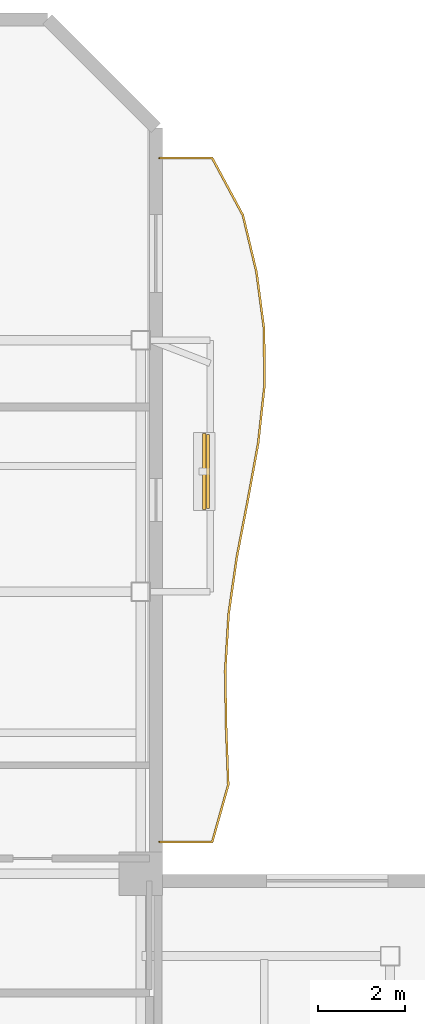
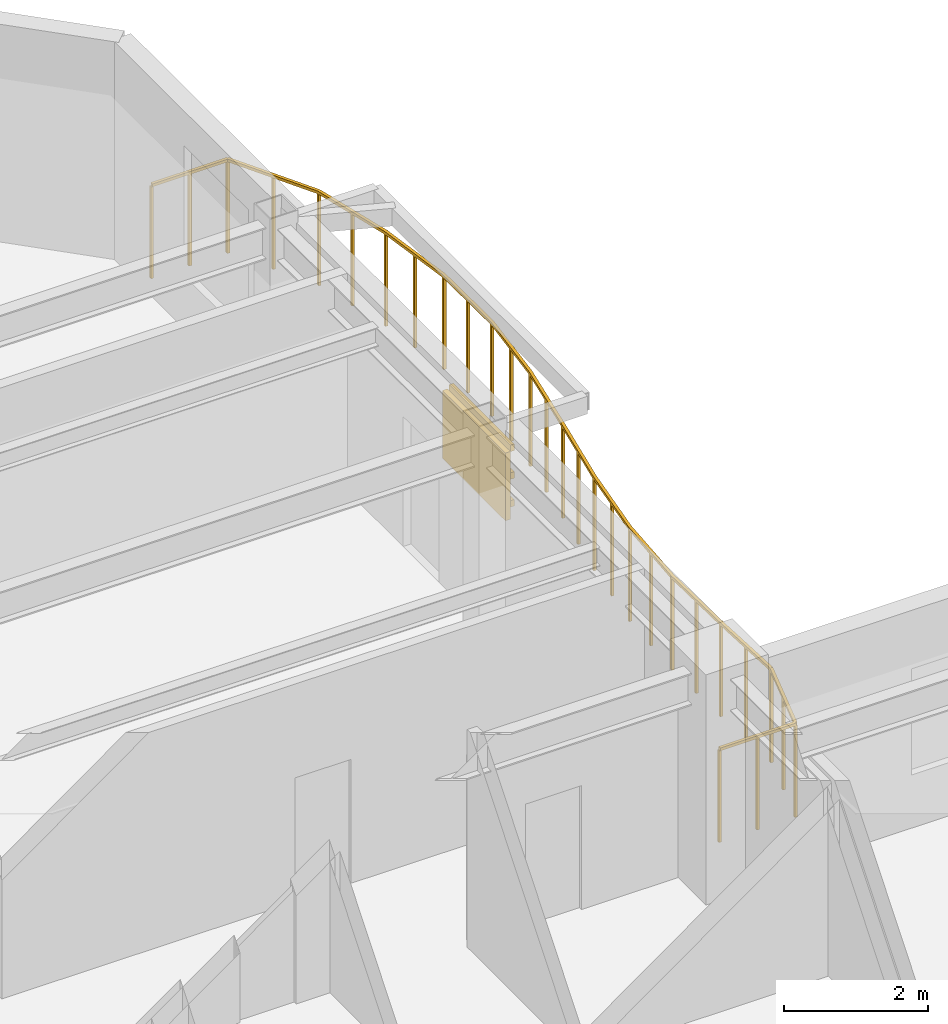
# One storey, part 9 of 9: 4 shading devices, 1 railing.
"""IFC4 building model written with IfcOpenShell, lengths in metres."""

import ifcopenshell
import ifcopenshell.guid

model = None  # the IFC model being written
_history = None  # IfcOwnerHistory: only IFC2X3 demands one
_inside = {}  # id of a spatial element -> (the spatial element, [elements in it])
_under = {}  # id of a project, library or spatial element -> (it, [spatial elements below it])
_declared = {}  # id of a project -> (the project, [libraries it declares])
_typed = {}  # id of a type object -> (the type object, [elements of that type])
_made_of = {}  # id of a material, layer set ... -> (it, [elements and type objects made of it])


def new_model(schema):
    """Start an empty IFC model of exactly this schema.

    Asked for "IFC4X3", IfcOpenShell would pick the latest addendum, in which some entities
    have other attributes; the version numbers below select the first issue.
    IFC2X3 requires an IfcOwnerHistory on every rooted entity: one is made here for all.
    """
    global model, _history
    if schema == "IFC4X3":
        model = ifcopenshell.file(schema_version=(4, 3, 0, 0))
    else:
        model = ifcopenshell.file(schema=schema)
    _inside.clear()
    _under.clear()
    _declared.clear()
    _typed.clear()
    _made_of.clear()
    _history = None
    if model.schema == "IFC2X3":
        org = make("IfcOrganization", Name="unknown")
        user = make(
            "IfcPersonAndOrganization",
            ThePerson=make("IfcPerson", FamilyName="unknown"),
            TheOrganization=org,
        )
        app = make(
            "IfcApplication",
            ApplicationDeveloper=org,
            Version="unknown",
            ApplicationFullName="unknown",
            ApplicationIdentifier="unknown",
        )
        _history = make(
            "IfcOwnerHistory",
            OwningUser=user,
            OwningApplication=app,
            ChangeAction="ADDED",
            CreationDate=0,
        )
    return model


def make(cls, **values):
    """One entity of the class cls with the attributes given. An attribute that is None is left unset."""
    return model.create_entity(
        cls, **{name: value for name, value in values.items() if value is not None}
    )


def rooted(cls, **values):
    """An entity with a GlobalId (a new one), such as an element, a storey or a relation."""
    return make(cls, GlobalId=ifcopenshell.guid.new(), OwnerHistory=_history, **values)


def si_unit(unit_type, name, prefix=None):
    """IfcSIUnit, for example si_unit("LENGTHUNIT", "METRE", prefix="MILLI")."""
    return make("IfcSIUnit", UnitType=unit_type, Prefix=prefix, Name=name)


def assignment(units):
    """IfcUnitAssignment: the units of a project."""
    return None if units is None else make("IfcUnitAssignment", Units=units)


def point(xyz):
    """IfcCartesianPoint."""
    return None if xyz is None else make("IfcCartesianPoint", Coordinates=xyz)


def direction(xyz):
    """IfcDirection."""
    return None if xyz is None else make("IfcDirection", DirectionRatios=xyz)


def frame(location, z_axis=None, x_axis=None):
    """IfcAxis2Placement3D, a coordinate frame: its origin and axes. An axis left out is left unset."""
    return make(
        "IfcAxis2Placement3D",
        Location=point(location),
        Axis=direction(z_axis),
        RefDirection=direction(x_axis),
    )


def frame_2d(location, x_axis=None):
    """IfcAxis2Placement2D, a coordinate frame in the plane: its origin and x axis."""
    return make(
        "IfcAxis2Placement2D", Location=point(location), RefDirection=direction(x_axis)
    )


def origin():
    """The frame at (0, 0, 0) with its axes left unset."""
    return frame((0.0, 0.0, 0.0))


def origin_2d():
    """The frame at (0, 0) in the plane with its x axis left unset."""
    return frame_2d((0.0, 0.0))


def place(relative_to, where):
    """IfcLocalPlacement: puts the frame where relative to a parent placement (None: the world)."""
    return make(
        "IfcLocalPlacement", PlacementRelTo=relative_to, RelativePlacement=where
    )


def context(
    kind, dimensions, precision=None, world=None, true_north=None, identifier=None
):
    """IfcGeometricRepresentationContext, for example the 3D "Model" context."""
    return make(
        "IfcGeometricRepresentationContext",
        ContextIdentifier=identifier,
        ContextType=kind,
        CoordinateSpaceDimension=dimensions,
        Precision=precision,
        WorldCoordinateSystem=world,
        TrueNorth=true_north,
    )


def subcontext(parent, identifier, kind, view, scale=None):
    """IfcGeometricRepresentationSubContext, for example "Body" below "Model"."""
    return make(
        "IfcGeometricRepresentationSubContext",
        ContextIdentifier=identifier,
        ContextType=kind,
        ParentContext=parent,
        TargetScale=scale,
        TargetView=view,
    )


def project(units=None, contexts=None):
    """IfcProject with its units and contexts."""
    return rooted(
        "IfcProject",
        Name="project",
        RepresentationContexts=contexts,
        UnitsInContext=assignment(units),
    )


def spatial(cls, under=None, at=None, **own):
    """A site, building, storey or space (cls), placed at a placement, below another one or the project."""
    s = rooted(cls, ObjectPlacement=at, **own)
    if under is not None:
        _under.setdefault(under.id(), (under, []))[1].append(s)
    return s


def profile(cls, at=None, kind="AREA", **sizes):
    """A parametric profile (cls). Its sizes go by their IFC names, for example OverallWidth=200.0."""
    return make(cls, ProfileType=kind, Position=at, **sizes)


def rectangle(**sizes):
    """IfcRectangleProfileDef."""
    return profile("IfcRectangleProfileDef", **sizes)


def extrude(swept, where, along, depth):
    """IfcExtrudedAreaSolid: the profile swept, set in the frame where, extruded along a direction by depth."""
    return make(
        "IfcExtrudedAreaSolid",
        SweptArea=swept,
        Position=where,
        ExtrudedDirection=direction(along),
        Depth=depth,
    )


def shape(context_of_items, identifier, shape_type, items):
    """IfcShapeRepresentation: the items that make up one representation, for example the "Body"."""
    return make(
        "IfcShapeRepresentation",
        ContextOfItems=context_of_items,
        RepresentationIdentifier=identifier,
        RepresentationType=shape_type,
        Items=items,
    )


def material(Name=None, Category=None):
    """IfcMaterial."""
    return make("IfcMaterial", Name=Name, Category=Category)


def layer(
    of_material, thickness, ventilated=None, Name=None, Category=None, Priority=None
):
    """IfcMaterialLayer: one layer of a wall or slab, of a material (None: an air gap)."""
    return make(
        "IfcMaterialLayer",
        Material=of_material,
        LayerThickness=thickness,
        IsVentilated=ventilated,
        Name=Name,
        Category=Category,
        Priority=Priority,
    )


def layer_set(layers, Name=None):
    """IfcMaterialLayerSet."""
    return make("IfcMaterialLayerSet", MaterialLayers=layers, LayerSetName=Name)


def material_profile(
    of_material, cross_section, Name=None, Category=None, Priority=None
):
    """IfcMaterialProfile: a cross section and its material."""
    return make(
        "IfcMaterialProfile",
        Name=Name,
        Material=of_material,
        Profile=cross_section,
        Priority=Priority,
        Category=Category,
    )


def profile_set(profiles, Name=None, composite=None):
    """IfcMaterialProfileSet."""
    return make(
        "IfcMaterialProfileSet",
        Name=Name,
        MaterialProfiles=profiles,
        CompositeProfile=composite,
    )


def made_of(thing, what):
    """Note that an element or type object is made of a material, layer set ...; save() writes the relation."""
    if what is not None:
        _made_of.setdefault(what.id(), (what, []))[1].append(thing)
    return thing


def type_object(cls, material=None, **own):
    """A type object (cls), such as IfcWallType, which elements share."""
    return made_of(rooted(cls, **own), material)


def element(
    cls,
    number,
    at=None,
    inside=None,
    cuts=None,
    type_object=None,
    material=None,
    context=None,
    identifier="Body",
    shape_type=None,
    held_by="IfcProductDefinitionShape",
    body=None,
    shapes=None,
    **own,
):
    """One element of the class cls, such as IfcWall. Its Tag is "e" and its number.

    at: its placement. inside: the storey or other place that contains it. cuts: it is an
    opening in that element (IfcRelVoidsElement). A single representation is given by context,
    identifier, shape_type and body (its items); several are given by shapes. held_by: the class
    of the entity that holds the representations. save() writes the other relations.
    """
    e = rooted(cls, Tag="e%d" % number, ObjectPlacement=at, **own)
    if body is not None:
        shapes = [shape(context, identifier, shape_type, body)]
    if shapes is not None:
        e.Representation = make(held_by, Representations=shapes)
    if inside is not None:
        _inside.setdefault(inside.id(), (inside, []))[1].append(e)
    if cuts is not None:
        rooted(
            "IfcRelVoidsElement", RelatingBuildingElement=cuts, RelatedOpeningElement=e
        )
    if type_object is not None:
        _typed.setdefault(type_object.id(), (type_object, []))[1].append(e)
    return made_of(e, material)


def aggregate(whole, parts):
    """IfcRelAggregates: a whole, such as a stair, and the parts it consists of."""
    return rooted("IfcRelAggregates", RelatingObject=whole, RelatedObjects=parts)


def save(model, path):
    """Write the relations noted so far, then the file.

    IfcRelAggregates (storeys below a building ...), IfcRelContainedInSpatialStructure (elements
    in a storey), IfcRelDefinesByType, IfcRelAssociatesMaterial and IfcRelDeclares: one each for
    every whole, place, type object, material and project.
    """
    for whole, parts in _under.values():
        aggregate(whole, parts)
    for where, things in _inside.values():
        rooted(
            "IfcRelContainedInSpatialStructure",
            RelatedElements=things,
            RelatingStructure=where,
        )
    for kind, things in _typed.values():
        rooted("IfcRelDefinesByType", RelatedObjects=things, RelatingType=kind)
    for what, things in _made_of.values():
        rooted("IfcRelAssociatesMaterial", RelatedObjects=things, RelatingMaterial=what)
    for by, libraries in _declared.values():
        rooted("IfcRelDeclares", RelatingContext=by, RelatedDefinitions=libraries)
    model.write(path)


model = new_model("IFC4")

# Units and contexts
model_context = context("Model", 3, precision=1e-05, world=origin(), true_north=direction((0.0, 1.0)))
body_context = subcontext(model_context, "Body", "Model", "MODEL_VIEW")
ifc_project = project(units=[si_unit("LENGTHUNIT", "METRE"), si_unit("AREAUNIT", "SQUARE_METRE"), si_unit("VOLUMEUNIT", "CUBIC_METRE"), si_unit("PLANEANGLEUNIT", "RADIAN"), si_unit("MASSUNIT", "GRAM", prefix="KILO")], contexts=[model_context])

# Site, building, storey
site_placement = place(None, origin())
site = spatial("IfcSite", under=ifc_project, at=site_placement, CompositionType="ELEMENT")
building_placement = place(site_placement, origin())
building = spatial("IfcBuilding", under=site, at=building_placement, Name="Mawjaban Terraces University", CompositionType="ELEMENT")
storey_placement = place(building_placement, frame((0.0, 0.0, 203.10009765625)))
storey = spatial("IfcBuildingStorey", under=building, at=storey_placement, Name="L49", CompositionType="ELEMENT", Elevation=203.10009765625)

# Railing
ifc_material_1 = material(Name="Galvanised powder-coated steel S355", Category="steel")
railing_type = type_object("IfcRailingType", Name="BalconyBalustrade_1600", PredefinedType="BALUSTRADE", material=ifc_material_1)
railing_placement = place(storey_placement, frame((38.080078125, 24.235107421875, 0.0)))
element("IfcRailing", 1, at=railing_placement, inside=storey, type_object=railing_type, Name="L49 Balcony Guardrail inner_east", PredefinedType="BALUSTRADE", context=body_context, shape_type="SweptSolid", body=[
    extrude(rectangle(XDim=0.048095703125, YDim=0.048095703125, at=origin_2d()), frame((0.0, 0.0, 1.576171875), z_axis=(1.0, 0.0, 0.0), x_axis=(0.0, 1.0, 0.0)), (0.0, 0.0, 1.0), 1.219970703125),
    extrude(rectangle(XDim=0.048095703125, YDim=0.048095703125, at=origin_2d()), frame((1.219970703125, 0.0, 1.576171875), z_axis=(0.2709631077, 0.962589733098, 0.0), x_axis=(-0.962589733098, 0.2709631077, 0.0)), (0.0, 0.0, 1.0), 1.364990234375),
    extrude(rectangle(XDim=0.048095703125, YDim=0.048095703125, at=origin_2d()), frame((1.58984375, 1.31396484375, 1.576171875), z_axis=(-0.037135274909, 0.9993102478, 0.0), x_axis=(-0.9993102478, -0.037135274909, 0.0)), (0.0, 0.0, 1.0), 1.31494140625),
    extrude(rectangle(XDim=0.048095703125, YDim=0.048095703125, at=origin_2d()), frame((1.541015625, 2.6279296875, 1.576171875), z_axis=(-0.016732502821, 0.999860001875, 0.0), x_axis=(-0.999860001875, -0.016732502821, 0.0)), (0.0, 0.0, 1.0), 1.313232421875),
    extrude(rectangle(XDim=0.048095703125, YDim=0.048095703125, at=origin_2d()), frame((1.51904296875, 3.94091796875, 1.576171875), z_axis=(0.059907075163, 0.99820395829, 0.0), x_axis=(-0.99820395829, 0.059907075163, 0.0)), (0.0, 0.0, 1.0), 1.31640625),
    extrude(rectangle(XDim=0.048095703125, YDim=0.048095703125, at=origin_2d()), frame((1.597900390625, 5.2548828125, 1.576171875), z_axis=(0.14234821284, 0.989816642768, 0.0), x_axis=(-0.989816642768, 0.14234821284, 0.0)), (0.0, 0.0, 1.0), 1.327392578125),
    extrude(rectangle(XDim=0.048095703125, YDim=0.048095703125, at=origin_2d()), frame((1.786865234375, 6.56884765625, 1.576171875), z_axis=(0.189334943594, 0.981912561858, 0.0), x_axis=(-0.981912561858, 0.189334943594, 0.0)), (0.0, 0.0, 1.0), 1.337158203125),
    extrude(rectangle(XDim=0.048095703125, YDim=0.048095703125, at=origin_2d()), frame((2.0400390625, 7.8818359375, 1.576171875), z_axis=(0.179673531636, 0.983726294266, 0.0), x_axis=(-0.983726294266, 0.179673531636, 0.0)), (0.0, 0.0, 1.0), 1.335693359375),
    extrude(rectangle(XDim=0.048095703125, YDim=0.048095703125, at=origin_2d()), frame((2.280029296875, 9.19580078125, 1.576171875), z_axis=(0.10876936106, 0.994067012879, 0.0), x_axis=(-0.994067012879, 0.10876936106, 0.0)), (0.0, 0.0, 1.0), 1.322021484375),
    extrude(rectangle(XDim=0.048095703125, YDim=0.048095703125, at=origin_2d()), frame((2.423828125, 10.510009765625, 1.576171875), z_axis=(-0.006688813576, 0.999977629636, 0.0), x_axis=(-0.999977629636, -0.006688813576, 0.0)), (0.0, 0.0, 1.0), 1.31396484375),
    extrude(rectangle(XDim=0.048095703125, YDim=0.048095703125, at=origin_2d()), frame((2.4150390625, 11.823974609375, 1.576171875), z_axis=(-0.132055143145, 0.991242371557, 0.0), x_axis=(-0.991242371557, -0.132055143145, 0.0)), (0.0, 0.0, 1.0), 1.32568359375),
    extrude(rectangle(XDim=0.048095703125, YDim=0.048095703125, at=origin_2d()), frame((2.239990234375, 13.137939453125, 1.576171875), z_axis=(-0.23256577572, 0.972580670157, 0.0), x_axis=(-0.972580670157, -0.23256577572, 0.0)), (0.0, 0.0, 1.0), 1.35009765625),
    extrude(rectangle(XDim=0.048095703125, YDim=0.048095703125, at=origin_2d()), frame((1.926025390625, 14.450927734375, 1.576171875), z_axis=(-0.473338347507, 0.880880700651, 0.0), x_axis=(-0.880880700651, -0.473338347507, 0.0)), (0.0, 0.0, 1.0), 1.49169921875),
    extrude(rectangle(XDim=0.048095703125, YDim=0.048095703125, at=origin_2d()), frame((1.219970703125, 15.764892578125, 1.576171875), z_axis=(-1.0, 0.0, 0.0), x_axis=(0.0, -1.0, 0.0)), (0.0, 0.0, 1.0), 1.219970703125),
    extrude(rectangle(XDim=0.0419921875, YDim=0.0419921875, at=origin_2d()), origin(), (0.0, 0.0, 1.0), 1.552001953125),
    extrude(rectangle(XDim=0.0419921875, YDim=0.0419921875, at=origin_2d()), frame((0.60986328125, 0.0, 0.0)), (0.0, 0.0, 1.0), 1.552001953125),
    extrude(rectangle(XDim=0.0419921875, YDim=0.0419921875, at=origin_2d()), frame((1.219970703125, 0.0, 0.0)), (0.0, 0.0, 1.0), 1.552001953125),
    extrude(rectangle(XDim=0.0419921875, YDim=0.0419921875, at=origin_2d()), frame((1.40478515625, 0.656982421875, 0.0)), (0.0, 0.0, 1.0), 1.552001953125),
    extrude(rectangle(XDim=0.0419921875, YDim=0.0419921875, at=origin_2d()), frame((1.58984375, 1.31396484375, 0.0)), (0.0, 0.0, 1.0), 1.552001953125),
    extrude(rectangle(XDim=0.0419921875, YDim=0.0419921875, at=origin_2d()), frame((1.5654296875, 1.970947265625, 0.0)), (0.0, 0.0, 1.0), 1.552001953125),
    extrude(rectangle(XDim=0.0419921875, YDim=0.0419921875, at=origin_2d()), frame((1.541015625, 2.6279296875, 0.0)), (0.0, 0.0, 1.0), 1.552001953125),
    extrude(rectangle(XDim=0.0419921875, YDim=0.0419921875, at=origin_2d()), frame((1.530029296875, 3.284423828125, 0.0)), (0.0, 0.0, 1.0), 1.552001953125),
    extrude(rectangle(XDim=0.0419921875, YDim=0.0419921875, at=origin_2d()), frame((1.51904296875, 3.94091796875, 0.0)), (0.0, 0.0, 1.0), 1.552001953125),
    extrude(rectangle(XDim=0.0419921875, YDim=0.0419921875, at=origin_2d()), frame((1.55859375, 4.597900390625, 0.0)), (0.0, 0.0, 1.0), 1.552001953125),
    extrude(rectangle(XDim=0.0419921875, YDim=0.0419921875, at=origin_2d()), frame((1.597900390625, 5.2548828125, 0.0)), (0.0, 0.0, 1.0), 1.552001953125),
    extrude(rectangle(XDim=0.0419921875, YDim=0.0419921875, at=origin_2d()), frame((1.6923828125, 5.911865234375, 0.0)), (0.0, 0.0, 1.0), 1.552001953125),
    extrude(rectangle(XDim=0.0419921875, YDim=0.0419921875, at=origin_2d()), frame((1.786865234375, 6.56884765625, 0.0)), (0.0, 0.0, 1.0), 1.552001953125),
    extrude(rectangle(XDim=0.0419921875, YDim=0.0419921875, at=origin_2d()), frame((1.91357421875, 7.225341796875, 0.0)), (0.0, 0.0, 1.0), 1.552001953125),
    extrude(rectangle(XDim=0.0419921875, YDim=0.0419921875, at=origin_2d()), frame((2.0400390625, 7.8818359375, 0.0)), (0.0, 0.0, 1.0), 1.552001953125),
    extrude(rectangle(XDim=0.0419921875, YDim=0.0419921875, at=origin_2d()), frame((2.16015625, 8.538818359375, 0.0)), (0.0, 0.0, 1.0), 1.552001953125),
    extrude(rectangle(XDim=0.0419921875, YDim=0.0419921875, at=origin_2d()), frame((2.280029296875, 9.19580078125, 0.0)), (0.0, 0.0, 1.0), 1.552001953125),
    extrude(rectangle(XDim=0.0419921875, YDim=0.0419921875, at=origin_2d()), frame((2.35205078125, 9.85302734375, 0.0)), (0.0, 0.0, 1.0), 1.552001953125),
    extrude(rectangle(XDim=0.0419921875, YDim=0.0419921875, at=origin_2d()), frame((2.423828125, 10.510009765625, 0.0)), (0.0, 0.0, 1.0), 1.552001953125),
    extrude(rectangle(XDim=0.0419921875, YDim=0.0419921875, at=origin_2d()), frame((2.41943359375, 11.1669921875, 0.0)), (0.0, 0.0, 1.0), 1.552001953125),
    extrude(rectangle(XDim=0.0419921875, YDim=0.0419921875, at=origin_2d()), frame((2.4150390625, 11.823974609375, 0.0)), (0.0, 0.0, 1.0), 1.552001953125),
    extrude(rectangle(XDim=0.0419921875, YDim=0.0419921875, at=origin_2d()), frame((2.32763671875, 12.48095703125, 0.0)), (0.0, 0.0, 1.0), 1.552001953125),
    extrude(rectangle(XDim=0.0419921875, YDim=0.0419921875, at=origin_2d()), frame((2.239990234375, 13.137939453125, 0.0)), (0.0, 0.0, 1.0), 1.552001953125),
    extrude(rectangle(XDim=0.0419921875, YDim=0.0419921875, at=origin_2d()), frame((2.0830078125, 13.79443359375, 0.0)), (0.0, 0.0, 1.0), 1.552001953125),
    extrude(rectangle(XDim=0.0419921875, YDim=0.0419921875, at=origin_2d()), frame((1.926025390625, 14.450927734375, 0.0)), (0.0, 0.0, 1.0), 1.552001953125),
    extrude(rectangle(XDim=0.0419921875, YDim=0.0419921875, at=origin_2d()), frame((1.572998046875, 15.10791015625, 0.0)), (0.0, 0.0, 1.0), 1.552001953125),
    extrude(rectangle(XDim=0.0419921875, YDim=0.0419921875, at=origin_2d()), frame((1.219970703125, 15.764892578125, 0.0)), (0.0, 0.0, 1.0), 1.552001953125),
    extrude(rectangle(XDim=0.0419921875, YDim=0.0419921875, at=origin_2d()), frame((0.60986328125, 15.764892578125, 0.0)), (0.0, 0.0, 1.0), 1.552001953125),
    extrude(rectangle(XDim=0.0419921875, YDim=0.0419921875, at=origin_2d()), frame((0.0, 15.764892578125, 0.0)), (0.0, 0.0, 1.0), 1.552001953125),
])

# Shading devices
ifc_material_2 = material(Name="Glazed architectural terracotta ceramic", Category="masonry")
ifc_material_profile = material_profile(ifc_material_2, rectangle(XDim=0.06494140625, YDim=0.110107421875, at=origin_2d()), Name="TBAG110X65")
ifc_profile_set = profile_set([ifc_material_profile], Name="Glazed architectural terracotta ceramic")
shading_device_type_1 = type_object("IfcShadingDeviceType", Name="TerracottaBaguette_110x65", PredefinedType="USERDEFINED", material=ifc_profile_set)
for number, where, z_axis, x_axis, name in (
    (2, (39.199951171875, 31.924072265625, 0.679931640625), (0.0, 1.0, 0.0), (-1.0, 0.0, 0.0), "L49 Horizontal Terracotta Baguette inner_east.1"),
    (3, (39.199951171875, 31.924072265625, 1.14990234375), (0.0, 1.0, 0.0), (-1.0, 0.0, 0.0), "L49 Horizontal Terracotta Baguette inner_east.2"),
    (4, (39.199951171875, 31.924072265625, 1.619873046875), (0.0, 1.0, 0.0), (-1.0, 0.0, 0.0), "L49 Horizontal Terracotta Baguette inner_east.3"),
):
    element("IfcShadingDevice", number, at=place(storey_placement, frame(where, z_axis=z_axis, x_axis=x_axis)), inside=storey, type_object=shading_device_type_1, Name=name, ObjectType="BAGUETTE", PredefinedType="USERDEFINED", context=body_context, shape_type="SweptSolid", body=[
        extrude(rectangle(XDim=0.06494140625, YDim=0.110107421875, at=origin_2d()), origin(), (0.0, 0.0, 1.0), 1.699951171875),
    ])
ifc_layer = layer(ifc_material_2, 0.080078125)
ifc_layer_set = layer_set([ifc_layer], Name="Glazed architectural terracotta ceramic")
shading_device_type_2 = type_object("IfcShadingDeviceType", Name="TerracottaScreen_Perforated", PredefinedType="USERDEFINED", material=ifc_layer_set)
shading_device_placement = place(storey_placement, frame((39.114990234375, 32.77392578125, 0.43994140625), z_axis=(0.0, 0.0, 1.0), x_axis=(0.0, 1.0, 0.0)))
element("IfcShadingDevice", 5, at=shading_device_placement, inside=storey, type_object=shading_device_type_2, Name="L49 Balcony Perforated Terracotta Screen inner_east", ObjectType="SCREEN", PredefinedType="USERDEFINED", context=body_context, shape_type="SweptSolid", body=[
    extrude(rectangle(XDim=1.75, YDim=0.080078125, at=origin_2d()), origin(), (0.0, 0.0, 1.0), 1.14990234375),
])

save(model, "model.ifc")
